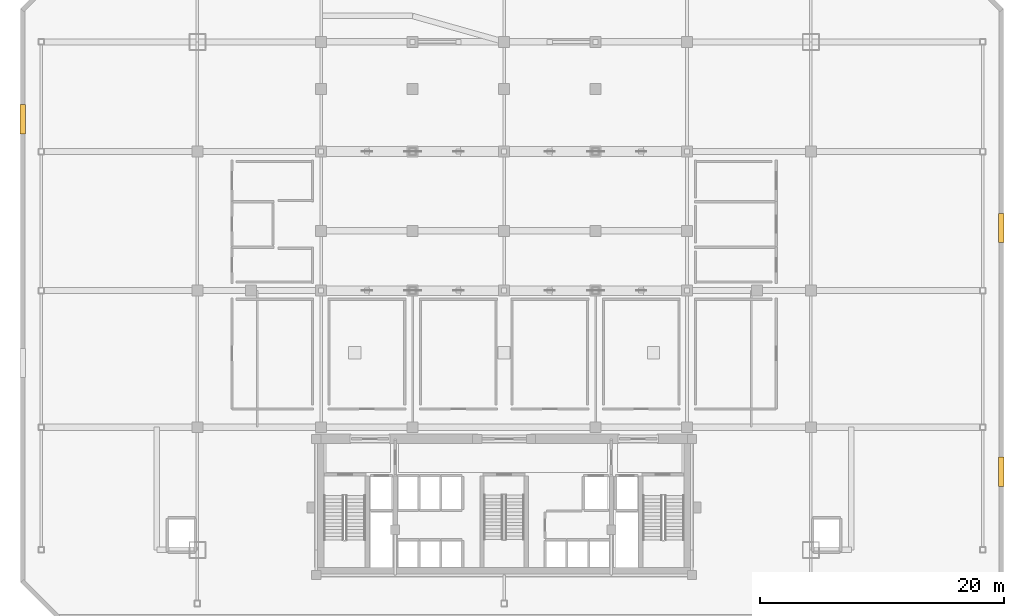
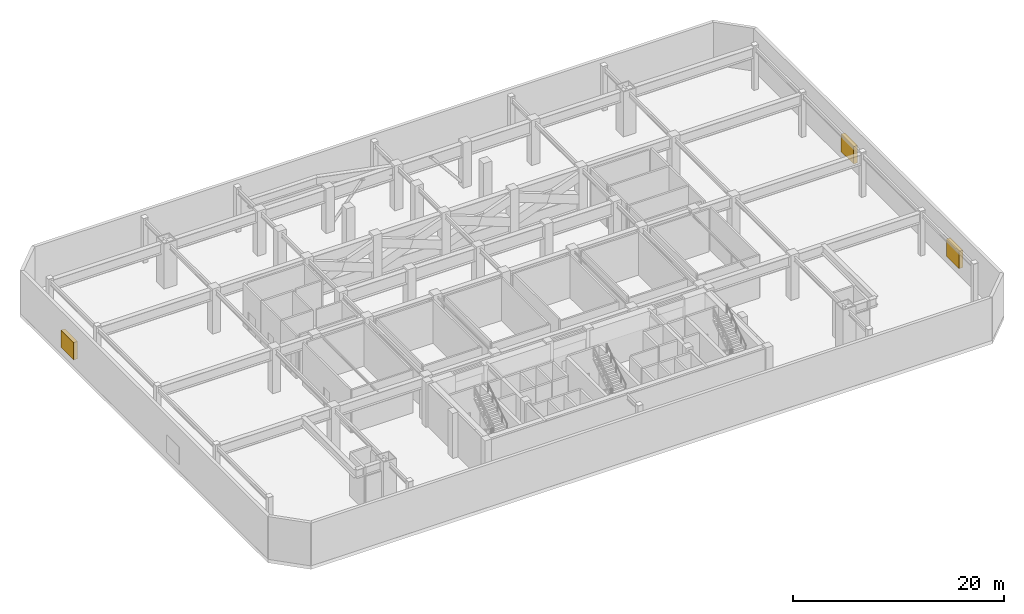
# One storey, part 14 of 14: 3 shading devices.
"""IFC4 building model written with IfcOpenShell, lengths in metres."""

from ifc_helpers import new_model, si_unit, direction, frame, origin, origin_2d, place, context, subcontext, project, spatial, rectangle, extrude, material, type_object, element, save


model = new_model("IFC4")

# Units and contexts
model_context = context("Model", 3, precision=1e-05, world=origin(), true_north=direction((0.0, 1.0)))
body_context = subcontext(model_context, "Body", "Model", "MODEL_VIEW")
ifc_project = project(units=[si_unit("LENGTHUNIT", "METRE"), si_unit("AREAUNIT", "SQUARE_METRE"), si_unit("VOLUMEUNIT", "CUBIC_METRE"), si_unit("PLANEANGLEUNIT", "RADIAN"), si_unit("MASSUNIT", "GRAM", prefix="KILO")], contexts=[model_context])

# Site, building, storey
site_placement = place(None, origin())
site = spatial("IfcSite", under=ifc_project, at=site_placement, CompositionType="ELEMENT")
building_placement = place(site_placement, origin())
building = spatial("IfcBuilding", under=site, at=building_placement, Name="Ventersveld Concourse Tower", CompositionType="ELEMENT")
storey_placement = place(building_placement, frame((0.0, 0.0, 24.60009765625)))
storey = spatial("IfcBuildingStorey", under=building, at=storey_placement, Name="L05", CompositionType="ELEMENT", Elevation=24.60009765625)

# Shading devices
ifc_material = material(Name="Anodised aluminium EN AW-6063-T6", Category="aluminium")
shading_device_type = type_object("IfcShadingDeviceType", Name="SHD-LOUVRE-300", PredefinedType="JALOUSIE", material=ifc_material)
for number, where, z_axis, x_axis, name in (
    (1, (69.52001953125, 8.739990234375, 0.7998046875), (0.0, 0.0, 1.0), (0.0, 1.0, 0.0), "L05 Acoustic Intake Louvre E1"),
    (2, (69.52001953125, 28.739990234375, 0.7998046875), (0.0, 0.0, 1.0), (0.0, 1.0, 0.0), "L05 Acoustic Intake Louvre E2"),
    (3, (-10.719970703125, 37.659912109375, 0.7998046875), (0.0, 0.0, 1.0), (0.0, 1.0, 0.0), "L05 Acoustic Intake Louvre W1"),
):
    element("IfcShadingDevice", number, at=place(storey_placement, frame(where, z_axis=z_axis, x_axis=x_axis)), inside=storey, type_object=shading_device_type, Name=name, PredefinedType="JALOUSIE", context=body_context, shape_type="SweptSolid", body=[
        extrude(rectangle(XDim=2.39990234375, YDim=0.43994140625, at=origin_2d()), origin(), (0.0, 0.0, 1.0), 2.0),
    ])

save(model, "model.ifc")
